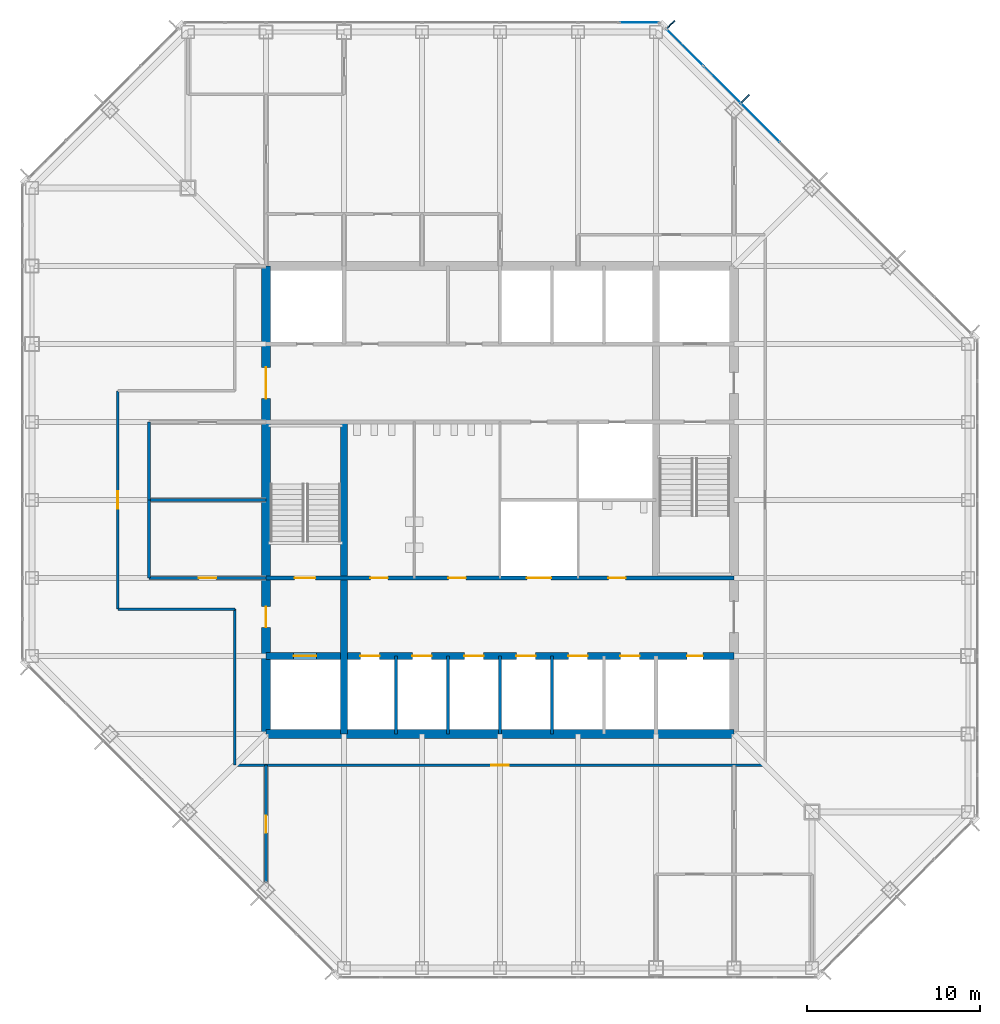
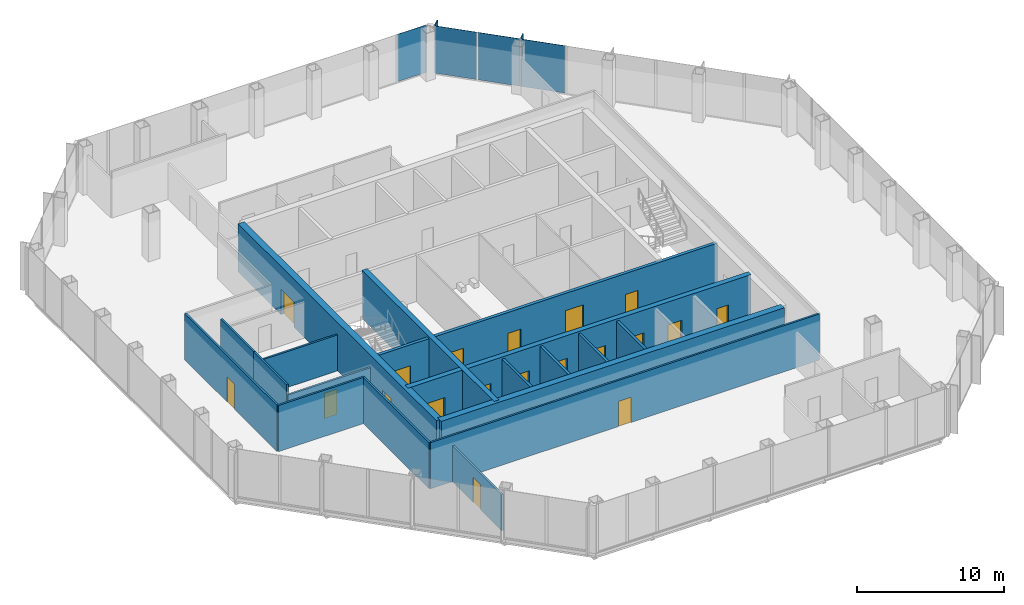
# One storey, part 8 of 12: 19 doors, 18 walls, 6 plates, 19 openings, 2 elements without a shape of their own.
"""IFC4 building model written with IfcOpenShell, lengths in metres."""

from ifc_helpers import new_model, si_unit, direction, frame, frame_2d, origin, origin_2d, place, context, subcontext, project, spatial, rectangle, extrude, material, layer, layer_set, type_object, element, fill, aggregate, save


model = new_model("IFC4")

# Units and contexts
model_context = context("Model", 3, precision=1e-05, world=origin(), true_north=direction((0.0, 1.0)))
body_context = subcontext(model_context, "Body", "Model", "MODEL_VIEW")
ifc_project = project(units=[si_unit("LENGTHUNIT", "METRE"), si_unit("AREAUNIT", "SQUARE_METRE"), si_unit("VOLUMEUNIT", "CUBIC_METRE"), si_unit("PLANEANGLEUNIT", "RADIAN"), si_unit("MASSUNIT", "GRAM", prefix="KILO")], contexts=[model_context])

# Site, building, storey
site_placement = place(None, origin())
site = spatial("IfcSite", under=ifc_project, at=site_placement, CompositionType="ELEMENT")
building_placement = place(site_placement, origin())
building = spatial("IfcBuilding", under=site, at=building_placement, Name="Corais Broadcast Tower", CompositionType="ELEMENT")
storey_placement = place(building_placement, frame((0.0, 0.0, 131.60009765625)))
storey = spatial("IfcBuildingStorey", under=building, at=storey_placement, Name="L29", CompositionType="ELEMENT", Elevation=131.60009765625)

# Curtain wall, plates
ifc_material_1 = material(Name="Aluminium and glass", Category="aluminium")
curtain_wall_type = type_object("IfcCurtainWallType", Name="Unitised fritted curtain wall CW2", PredefinedType="NOTDEFINED", material=ifc_material_1)
curtain_wall_1_placement = place(storey_placement, origin())
curtain_wall_1 = element("IfcCurtainWall", 1, at=curtain_wall_1_placement, inside=storey, type_object=curtain_wall_type, Name="CW2 curtain wall L29 5", PredefinedType="NOTDEFINED")
ifc_material_2 = material(Name="Ceramic-fritted laminated glass", Category="glass")
ifc_layer_1 = layer(ifc_material_2, 0.028076171875)
ifc_layer_set_1 = layer_set([ifc_layer_1], Name="Ceramic-fritted laminated glass")
plate_type_1 = type_object("IfcPlateType", Name="Fritted glass panel CW2", PredefinedType="CURTAIN_PANEL", material=ifc_layer_set_1)
plate_1_placement = place(storey_placement, frame((37.669677734375, 53.108154296875, 0.06494140625), z_axis=(0.0, 0.0, 1.0), x_axis=(0.707106781187, -0.707106781187, 0.0)))
plate_1 = element("IfcPlate", 2, at=plate_1_placement, type_object=plate_type_1, Name="CW2 panel 1", PredefinedType="CURTAIN_PANEL", context=body_context, shape_type="SweptSolid", body=[
    extrude(rectangle(XDim=2.9482421875, YDim=0.028076171875, at=origin_2d()), origin(), (0.0, 0.0, 1.0), 3.93505859375),
])
plate_2_placement = place(storey_placement, frame((42.013916015625, 48.763916015625, 0.06494140625), z_axis=(0.0, 0.0, 1.0), x_axis=(0.707106781187, -0.707106781187, 0.0)))
plate_2 = element("IfcPlate", 3, at=plate_2_placement, type_object=plate_type_1, Name="CW2 panel 3", PredefinedType="CURTAIN_PANEL", context=body_context, shape_type="SweptSolid", body=[
    extrude(rectangle(XDim=3.116943359375, YDim=0.028076171875, at=origin_2d()), origin(), (0.0, 0.0, 1.0), 3.93505859375),
])

# Curtain wall, plate
curtain_wall_2_placement = place(storey_placement, origin())
curtain_wall_2 = element("IfcCurtainWall", 4, at=curtain_wall_2_placement, inside=storey, type_object=curtain_wall_type, Name="CW2 curtain wall L29 4", PredefinedType="NOTDEFINED")
ifc_material_3 = material(Name="Clear laminated glass", Category="glass")
ifc_layer_2 = layer(ifc_material_3, 0.031982421875)
ifc_layer_set_2 = layer_set([ifc_layer_2], Name="Clear laminated glass")
plate_type_2 = type_object("IfcPlateType", Name="Operable glass panel CW2", PredefinedType="CURTAIN_PANEL", material=ifc_layer_set_2)
plate_3_placement = place(storey_placement, frame((35.029541015625, 54.550048828125, 0.06494140625), z_axis=(0.0, 0.0, 1.0), x_axis=(1.0, 0.0, 0.0)))
plate_3 = element("IfcPlate", 5, at=plate_3_placement, type_object=plate_type_2, Name="CW2 operable panel 8", PredefinedType="CURTAIN_PANEL", context=body_context, shape_type="SweptSolid", body=[
    extrude(rectangle(XDim=2.266357421875, YDim=0.031982421875, at=origin_2d()), origin(), (0.0, 0.0, 1.0), 3.93505859375),
])
aggregate(curtain_wall_2, [plate_3])

# Plate
plate_4_placement = place(storey_placement, frame((39.81201171875, 50.9658203125, 0.06494140625), z_axis=(0.0, 0.0, 1.0), x_axis=(0.707106781187, -0.707106781187, 0.0)))
plate_4 = element("IfcPlate", 6, at=plate_4_placement, type_object=plate_type_2, Name="CW2 operable panel 2", PredefinedType="CURTAIN_PANEL", context=body_context, shape_type="SweptSolid", body=[
    extrude(rectangle(XDim=2.98095703125, YDim=0.031982421875, at=origin_2d()), origin(), (0.0, 0.0, 1.0), 3.93505859375),
])

aggregate(curtain_wall_1, [plate_1, plate_4, plate_2])

# Plates
ifc_material_4 = material(Name="Granite stone cladding", Category="masonry")
ifc_layer_3 = layer(ifc_material_4, 0.080078125)
ifc_layer_set_3 = layer_set([ifc_layer_3], Name="Granite stone cladding")
plate_type_3 = type_object("IfcPlateType", Name="Stone screen fin 80x600", PredefinedType="USERDEFINED", material=ifc_layer_set_3)
for number, where, z_axis, x_axis, name in (
    (7, (36.8779296875, 54.447021484375, 0.0), (0.0, 0.0, 1.0), (0.707106781187, -0.707106781187, 0.0), "SF1 stone screen fin L29"),
    (8, (41.16259765625, 50.16259765625, 0.0), (0.0, 0.0, 1.0), (0.707106781187, -0.707106781187, 0.0), "SF1 stone screen fin L29"),
):
    element("IfcPlate", number, at=place(storey_placement, frame(where, z_axis=z_axis, x_axis=x_axis)), inside=storey, type_object=plate_type_3, Name=name, ObjectType="STONE SCREEN FIN", PredefinedType="USERDEFINED", context=body_context, shape_type="SweptSolid", body=[
        extrude(rectangle(XDim=0.080078125, YDim=0.60009765625, at=origin_2d()), origin(), (0.0, 0.0, 1.0), 4.0),
    ])

# Wall, openings, doors
ifc_material_5 = material(Name="Concrete blockwork class A, grouted, two-hour", Category="masonry")
ifc_layer_4 = layer(ifc_material_5, 0.25)
ifc_layer_set_4 = layer_set([ifc_layer_4], Name="Concrete blockwork class A, grouted, two-hour")
wall_type_1 = type_object("IfcWallType", Name="Core lobby wall 250", PredefinedType="SOLIDWALL", material=ifc_layer_set_4)
wall_1_placement = place(storey_placement, frame((13.5, 22.5, 0.0), z_axis=(0.0, 0.0, 1.0), x_axis=(1.0, 0.0, 0.0)))
wall_1 = element("IfcWall", 9, at=wall_1_placement, inside=storey, type_object=wall_type_1, Name="CL2 core lobby wall Y225 L29", PredefinedType="SOLIDWALL", context=body_context, shape_type="SweptSolid", body=[
    extrude(rectangle(XDim=27.0, YDim=0.25, at=frame_2d((13.5, 0.0))), origin(), (0.0, 0.0, 1.0), 3.83984375),
])
opening_1_placement = place(wall_1_placement, frame((1.64990234375, 0.0, 0.0)))
opening_1 = element("IfcOpeningElement", 10, at=opening_1_placement, cuts=wall_1, Name="Opening FD1", PredefinedType="OPENING", context=body_context, shape_type="SweptSolid", body=[
    extrude(rectangle(XDim=1.199951171875, YDim=2.10009765625, at=frame_2d((0.60009765625, 1.050048828125))), frame((0.0, 0.135009765625, 0.0), z_axis=(0.0, -1.0, 0.0), x_axis=(1.0, 0.0, 0.0)), (0.0, 0.0, 1.0), 0.27001953125),
])
opening_2_placement = place(wall_1_placement, frame((6.02490234375, 0.0, 0.0)))
opening_2 = element("IfcOpeningElement", 11, at=opening_2_placement, cuts=wall_1, Name="Opening WD1", PredefinedType="OPENING", context=body_context, shape_type="SweptSolid", body=[
    extrude(rectangle(XDim=1.0, YDim=2.10009765625, at=frame_2d((0.5, 1.050048828125))), frame((0.0, 0.135009765625, 0.0), z_axis=(0.0, -1.0, 0.0), x_axis=(1.0, 0.0, 0.0)), (0.0, 0.0, 1.0), 0.27001953125),
])
opening_3_placement = place(wall_1_placement, frame((10.52490234375, 0.0, 0.0)))
opening_3 = element("IfcOpeningElement", 12, at=opening_3_placement, cuts=wall_1, Name="Opening WD1", PredefinedType="OPENING", context=body_context, shape_type="SweptSolid", body=[
    extrude(rectangle(XDim=1.0, YDim=2.10009765625, at=frame_2d((0.5, 1.050048828125))), frame((0.0, 0.135009765625, 0.0), z_axis=(0.0, -1.0, 0.0), x_axis=(1.0, 0.0, 0.0)), (0.0, 0.0, 1.0), 0.27001953125),
])
opening_4_placement = place(wall_1_placement, frame((19.75, 0.0, 0.0)))
opening_4 = element("IfcOpeningElement", 13, at=opening_4_placement, cuts=wall_1, Name="Opening WD1", PredefinedType="OPENING", context=body_context, shape_type="SweptSolid", body=[
    extrude(rectangle(XDim=1.0, YDim=2.10009765625, at=frame_2d((0.5, 1.050048828125))), frame((0.0, 0.135009765625, 0.0), z_axis=(0.0, -1.0, 0.0), x_axis=(1.0, 0.0, 0.0)), (0.0, 0.0, 1.0), 0.27001953125),
])
opening_5_placement = place(wall_1_placement, frame((15.050048828125, 0.0, 0.0)))
opening_5 = element("IfcOpeningElement", 14, at=opening_5_placement, cuts=wall_1, Name="Opening LD3", PredefinedType="OPENING", context=body_context, shape_type="SweptSolid", body=[
    extrude(rectangle(XDim=1.39990234375, YDim=2.39990234375, at=frame_2d((0.699951171875, 1.199951171875))), frame((0.0, 0.135009765625, 0.0), z_axis=(0.0, -1.0, 0.0), x_axis=(1.0, 0.0, 0.0)), (0.0, 0.0, 1.0), 0.27001953125),
])
ifc_material_6 = material(Name="Steel fire door", Category="steel")
door_type_1 = type_object("IfcDoorType", Name="Fire door 1200x2100", OperationType="SINGLE_SWING_LEFT", PredefinedType="DOOR", material=ifc_material_6)
door_1_placement = place(opening_1_placement, origin())
door_1 = element("IfcDoor", 15, at=door_1_placement, inside=storey, type_object=door_type_1, Name="FD1 stair A door L29", OperationType="SINGLE_SWING_LEFT", OverallHeight=2.10009765625, OverallWidth=1.199951171875, PredefinedType="DOOR", context=body_context, shape_type="SweptSolid", body=[
    extrude(rectangle(XDim=1.199951171875, YDim=2.10009765625, at=frame_2d((0.60009765625, 1.050048828125))), frame((0.0, 0.02490234375, 0.0), z_axis=(0.0, -1.0, 0.0), x_axis=(1.0, 0.0, 0.0)), (0.0, 0.0, 1.0), 0.050048828125),
])
fill(opening_1, door_1)
ifc_material_7 = material(Name="Stainless steel lift door", Category="steel")
door_type_2 = type_object("IfcDoorType", Name="Service lift landing door 1400x2400", OperationType="SLIDING_TO_LEFT", PredefinedType="DOOR", material=ifc_material_7)
door_2_placement = place(opening_5_placement, origin())
door_2 = element("IfcDoor", 16, at=door_2_placement, inside=storey, type_object=door_type_2, Name="LD3 SL1 landing door L29", OperationType="SLIDING_TO_LEFT", OverallHeight=2.39990234375, OverallWidth=1.39990234375, PredefinedType="DOOR", context=body_context, shape_type="SweptSolid", body=[
    extrude(rectangle(XDim=1.39990234375, YDim=2.39990234375, at=frame_2d((0.699951171875, 1.199951171875))), frame((0.0, 0.02490234375, 0.0), z_axis=(0.0, -1.0, 0.0), x_axis=(1.0, 0.0, 0.0)), (0.0, 0.0, 1.0), 0.050048828125),
])
fill(opening_5, door_2)
ifc_material_8 = material(Name="Timber door", Category="wood")
door_type_3 = type_object("IfcDoorType", Name="Toilet door 1000x2100", OperationType="SINGLE_SWING_LEFT", PredefinedType="DOOR", material=ifc_material_8)
door_3_placement = place(opening_2_placement, origin())
door_3 = element("IfcDoor", 17, at=door_3_placement, inside=storey, type_object=door_type_3, Name="WD1 WC male door L29", OperationType="SINGLE_SWING_LEFT", OverallHeight=2.10009765625, OverallWidth=1.0, PredefinedType="DOOR", context=body_context, shape_type="SweptSolid", body=[
    extrude(rectangle(XDim=1.0, YDim=2.10009765625, at=frame_2d((0.5, 1.050048828125))), frame((0.0, 0.02490234375, 0.0), z_axis=(0.0, -1.0, 0.0), x_axis=(1.0, 0.0, 0.0)), (0.0, 0.0, 1.0), 0.050048828125),
])
fill(opening_2, door_3)
door_4_placement = place(opening_3_placement, origin())
door_4 = element("IfcDoor", 18, at=door_4_placement, inside=storey, type_object=door_type_3, Name="WD1 WC female door L29", OperationType="SINGLE_SWING_LEFT", OverallHeight=2.10009765625, OverallWidth=1.0, PredefinedType="DOOR", context=body_context, shape_type="SweptSolid", body=[
    extrude(rectangle(XDim=1.0, YDim=2.10009765625, at=frame_2d((0.5, 1.050048828125))), frame((0.0, 0.02490234375, 0.0), z_axis=(0.0, -1.0, 0.0), x_axis=(1.0, 0.0, 0.0)), (0.0, 0.0, 1.0), 0.050048828125),
])
fill(opening_3, door_4)
door_5_placement = place(opening_4_placement, origin())
door_5 = element("IfcDoor", 19, at=door_5_placement, inside=storey, type_object=door_type_3, Name="WD1 accessible WC door L29", OperationType="SINGLE_SWING_RIGHT", OverallHeight=2.10009765625, OverallWidth=1.0, PredefinedType="DOOR", context=body_context, shape_type="SweptSolid", body=[
    extrude(rectangle(XDim=1.0, YDim=2.10009765625, at=frame_2d((0.5, 1.050048828125))), frame((0.0, 0.02490234375, 0.0), z_axis=(0.0, -1.0, 0.0), x_axis=(1.0, 0.0, 0.0)), (0.0, 0.0, 1.0), 0.050048828125),
])
fill(opening_4, door_5)

# Wall
ifc_material_9 = material(Name="Concrete C50/60", Category="concrete")
ifc_layer_5 = layer(ifc_material_9, 0.39990234375)
ifc_layer_set_5 = layer_set([ifc_layer_5], Name="Concrete C50/60")
wall_type_2 = type_object("IfcWallType", Name="Core wall 400", PredefinedType="SHEAR", material=ifc_layer_set_5)
wall_2_placement = place(storey_placement, frame((18.0, 13.5, 0.0), z_axis=(0.0, 0.0, 1.0), x_axis=(0.0, 1.0, 0.0)))
element("IfcWall", 20, at=wall_2_placement, inside=storey, type_object=wall_type_2, Name="CR400 core wall X18A L29", PredefinedType="SHEAR", context=body_context, shape_type="SweptSolid", body=[
    extrude(rectangle(XDim=18.0, YDim=0.39990234375, at=frame_2d((9.0, 0.0))), origin(), (0.0, 0.0, 1.0), 4.0),
])

# Wall, openings, doors
wall_3_placement = place(storey_placement, frame((13.5, 18.0, 0.0), z_axis=(0.0, 0.0, 1.0), x_axis=(1.0, 0.0, 0.0)))
wall_3 = element("IfcWall", 21, at=wall_3_placement, inside=storey, type_object=wall_type_2, Name="CR400 core wall Y18 L29", PredefinedType="SHEAR", context=body_context, shape_type="SweptSolid", body=[
    extrude(rectangle(XDim=27.0, YDim=0.39990234375, at=frame_2d((13.5, 0.0))), origin(), (0.0, 0.0, 1.0), 4.0),
])
opening_6_placement = place(wall_3_placement, frame((24.300048828125, 0.0, 0.0)))
opening_6 = element("IfcOpeningElement", 22, at=opening_6_placement, cuts=wall_3, Name="Opening RD1", PredefinedType="OPENING", context=body_context, shape_type="SweptSolid", body=[
    extrude(rectangle(XDim=0.89990234375, YDim=2.10009765625, at=frame_2d((0.449951171875, 1.050048828125))), frame((0.0, 0.2099609375, 0.0), z_axis=(0.0, -1.0, 0.0), x_axis=(1.0, 0.0, 0.0)), (0.0, 0.0, 1.0), 0.419921875),
])
opening_7_placement = place(wall_3_placement, frame((5.449951171875, 0.0, 0.0)))
opening_7 = element("IfcOpeningElement", 23, at=opening_7_placement, cuts=wall_3, Name="Opening LD1", PredefinedType="OPENING", context=body_context, shape_type="SweptSolid", body=[
    extrude(rectangle(XDim=1.10009765625, YDim=2.10009765625, at=frame_2d((0.550048828125, 1.050048828125))), frame((0.0, 0.2099609375, 0.0), z_axis=(0.0, -1.0, 0.0), x_axis=(1.0, 0.0, 0.0)), (0.0, 0.0, 1.0), 0.419921875),
])
opening_8_placement = place(wall_3_placement, frame((8.449951171875, 0.0, 0.0)))
opening_8 = element("IfcOpeningElement", 24, at=opening_8_placement, cuts=wall_3, Name="Opening LD1", PredefinedType="OPENING", context=body_context, shape_type="SweptSolid", body=[
    extrude(rectangle(XDim=1.10009765625, YDim=2.10009765625, at=frame_2d((0.550048828125, 1.050048828125))), frame((0.0, 0.2099609375, 0.0), z_axis=(0.0, -1.0, 0.0), x_axis=(1.0, 0.0, 0.0)), (0.0, 0.0, 1.0), 0.419921875),
])
opening_9_placement = place(wall_3_placement, frame((11.449951171875, 0.0, 0.0)))
opening_9 = element("IfcOpeningElement", 25, at=opening_9_placement, cuts=wall_3, Name="Opening LD1", PredefinedType="OPENING", context=body_context, shape_type="SweptSolid", body=[
    extrude(rectangle(XDim=1.10009765625, YDim=2.10009765625, at=frame_2d((0.550048828125, 1.050048828125))), frame((0.0, 0.2099609375, 0.0), z_axis=(0.0, -1.0, 0.0), x_axis=(1.0, 0.0, 0.0)), (0.0, 0.0, 1.0), 0.419921875),
])
opening_10_placement = place(wall_3_placement, frame((14.449951171875, 0.0, 0.0)))
opening_10 = element("IfcOpeningElement", 26, at=opening_10_placement, cuts=wall_3, Name="Opening LD1", PredefinedType="OPENING", context=body_context, shape_type="SweptSolid", body=[
    extrude(rectangle(XDim=1.10009765625, YDim=2.10009765625, at=frame_2d((0.550048828125, 1.050048828125))), frame((0.0, 0.2099609375, 0.0), z_axis=(0.0, -1.0, 0.0), x_axis=(1.0, 0.0, 0.0)), (0.0, 0.0, 1.0), 0.419921875),
])
opening_11_placement = place(wall_3_placement, frame((17.449951171875, 0.0, 0.0)))
opening_11 = element("IfcOpeningElement", 27, at=opening_11_placement, cuts=wall_3, Name="Opening LD1", PredefinedType="OPENING", context=body_context, shape_type="SweptSolid", body=[
    extrude(rectangle(XDim=1.10009765625, YDim=2.10009765625, at=frame_2d((0.550048828125, 1.050048828125))), frame((0.0, 0.2099609375, 0.0), z_axis=(0.0, -1.0, 0.0), x_axis=(1.0, 0.0, 0.0)), (0.0, 0.0, 1.0), 0.419921875),
])
opening_12_placement = place(wall_3_placement, frame((20.449951171875, 0.0, 0.0)))
opening_12 = element("IfcOpeningElement", 28, at=opening_12_placement, cuts=wall_3, Name="Opening LD1", PredefinedType="OPENING", context=body_context, shape_type="SweptSolid", body=[
    extrude(rectangle(XDim=1.10009765625, YDim=2.10009765625, at=frame_2d((0.550048828125, 1.050048828125))), frame((0.0, 0.2099609375, 0.0), z_axis=(0.0, -1.0, 0.0), x_axis=(1.0, 0.0, 0.0)), (0.0, 0.0, 1.0), 0.419921875),
])
opening_13_placement = place(wall_3_placement, frame((1.60009765625, 0.0, 0.0)))
opening_13 = element("IfcOpeningElement", 29, at=opening_13_placement, cuts=wall_3, Name="Opening LD2", PredefinedType="OPENING", context=body_context, shape_type="SweptSolid", body=[
    extrude(rectangle(XDim=1.300048828125, YDim=2.199951171875, at=frame_2d((0.64990234375, 1.10009765625))), frame((0.0, 0.2099609375, 0.0), z_axis=(0.0, -1.0, 0.0), x_axis=(1.0, 0.0, 0.0)), (0.0, 0.0, 1.0), 0.419921875),
])
ifc_material_10 = material(Name="Stainless steel lift door", Category="steel")
door_type_4 = type_object("IfcDoorType", Name="Lift landing door 1100x2100", OperationType="SLIDING_TO_LEFT", PredefinedType="DOOR", material=ifc_material_10)
door_6_placement = place(opening_7_placement, origin())
door_6 = element("IfcDoor", 30, at=door_6_placement, inside=storey, type_object=door_type_4, Name="LD1 PM1 landing door L29", OperationType="SLIDING_TO_LEFT", OverallHeight=2.10009765625, OverallWidth=1.10009765625, PredefinedType="DOOR", context=body_context, shape_type="SweptSolid", body=[
    extrude(rectangle(XDim=1.10009765625, YDim=2.10009765625, at=frame_2d((0.550048828125, 1.050048828125))), frame((0.0, 0.02490234375, 0.0), z_axis=(0.0, -1.0, 0.0), x_axis=(1.0, 0.0, 0.0)), (0.0, 0.0, 1.0), 0.050048828125),
])
fill(opening_7, door_6)
door_7_placement = place(opening_8_placement, origin())
door_7 = element("IfcDoor", 31, at=door_7_placement, inside=storey, type_object=door_type_4, Name="LD1 PM2 landing door L29", OperationType="SLIDING_TO_LEFT", OverallHeight=2.10009765625, OverallWidth=1.10009765625, PredefinedType="DOOR", context=body_context, shape_type="SweptSolid", body=[
    extrude(rectangle(XDim=1.10009765625, YDim=2.10009765625, at=frame_2d((0.550048828125, 1.050048828125))), frame((0.0, 0.02490234375, 0.0), z_axis=(0.0, -1.0, 0.0), x_axis=(1.0, 0.0, 0.0)), (0.0, 0.0, 1.0), 0.050048828125),
])
fill(opening_8, door_7)
door_8_placement = place(opening_9_placement, origin())
door_8 = element("IfcDoor", 32, at=door_8_placement, inside=storey, type_object=door_type_4, Name="LD1 PM3 landing door L29", OperationType="SLIDING_TO_LEFT", OverallHeight=2.10009765625, OverallWidth=1.10009765625, PredefinedType="DOOR", context=body_context, shape_type="SweptSolid", body=[
    extrude(rectangle(XDim=1.10009765625, YDim=2.10009765625, at=frame_2d((0.550048828125, 1.050048828125))), frame((0.0, 0.02490234375, 0.0), z_axis=(0.0, -1.0, 0.0), x_axis=(1.0, 0.0, 0.0)), (0.0, 0.0, 1.0), 0.050048828125),
])
fill(opening_9, door_8)
door_9_placement = place(opening_10_placement, origin())
door_9 = element("IfcDoor", 33, at=door_9_placement, inside=storey, type_object=door_type_4, Name="LD1 PM4 landing door L29", OperationType="SLIDING_TO_LEFT", OverallHeight=2.10009765625, OverallWidth=1.10009765625, PredefinedType="DOOR", context=body_context, shape_type="SweptSolid", body=[
    extrude(rectangle(XDim=1.10009765625, YDim=2.10009765625, at=frame_2d((0.550048828125, 1.050048828125))), frame((0.0, 0.02490234375, 0.0), z_axis=(0.0, -1.0, 0.0), x_axis=(1.0, 0.0, 0.0)), (0.0, 0.0, 1.0), 0.050048828125),
])
fill(opening_10, door_9)
door_10_placement = place(opening_11_placement, origin())
door_10 = element("IfcDoor", 34, at=door_10_placement, inside=storey, type_object=door_type_4, Name="LD1 PM5 landing door L29", OperationType="SLIDING_TO_LEFT", OverallHeight=2.10009765625, OverallWidth=1.10009765625, PredefinedType="DOOR", context=body_context, shape_type="SweptSolid", body=[
    extrude(rectangle(XDim=1.10009765625, YDim=2.10009765625, at=frame_2d((0.550048828125, 1.050048828125))), frame((0.0, 0.02490234375, 0.0), z_axis=(0.0, -1.0, 0.0), x_axis=(1.0, 0.0, 0.0)), (0.0, 0.0, 1.0), 0.050048828125),
])
fill(opening_11, door_10)
door_11_placement = place(opening_12_placement, origin())
door_11 = element("IfcDoor", 35, at=door_11_placement, inside=storey, type_object=door_type_4, Name="LD1 PM6 landing door L29", OperationType="SLIDING_TO_LEFT", OverallHeight=2.10009765625, OverallWidth=1.10009765625, PredefinedType="DOOR", context=body_context, shape_type="SweptSolid", body=[
    extrude(rectangle(XDim=1.10009765625, YDim=2.10009765625, at=frame_2d((0.550048828125, 1.050048828125))), frame((0.0, 0.02490234375, 0.0), z_axis=(0.0, -1.0, 0.0), x_axis=(1.0, 0.0, 0.0)), (0.0, 0.0, 1.0), 0.050048828125),
])
fill(opening_12, door_11)
ifc_material_11 = material(Name="Stainless steel lift door", Category="steel")
door_type_5 = type_object("IfcDoorType", Name="Lift landing door 1300x2200", OperationType="SLIDING_TO_LEFT", PredefinedType="DOOR", material=ifc_material_11)
door_12_placement = place(opening_13_placement, origin())
door_12 = element("IfcDoor", 36, at=door_12_placement, inside=storey, type_object=door_type_5, Name="LD2 FL1 landing door L29", OperationType="SLIDING_TO_LEFT", OverallHeight=2.199951171875, OverallWidth=1.300048828125, PredefinedType="DOOR", context=body_context, shape_type="SweptSolid", body=[
    extrude(rectangle(XDim=1.300048828125, YDim=2.199951171875, at=frame_2d((0.64990234375, 1.10009765625))), frame((0.0, 0.02490234375, 0.0), z_axis=(0.0, -1.0, 0.0), x_axis=(1.0, 0.0, 0.0)), (0.0, 0.0, 1.0), 0.050048828125),
])
fill(opening_13, door_12)
ifc_material_12 = material(Name="Steel fire door", Category="steel")
door_type_6 = type_object("IfcDoorType", Name="Riser door 900x2100", OperationType="SINGLE_SWING_LEFT", PredefinedType="DOOR", material=ifc_material_12)
door_13_placement = place(opening_6_placement, origin())
door_13 = element("IfcDoor", 37, at=door_13_placement, inside=storey, type_object=door_type_6, Name="RD1 riser door L29", OperationType="SINGLE_SWING_RIGHT", OverallHeight=2.10009765625, OverallWidth=0.89990234375, PredefinedType="DOOR", context=body_context, shape_type="SweptSolid", body=[
    extrude(rectangle(XDim=0.89990234375, YDim=2.10009765625, at=frame_2d((0.449951171875, 1.050048828125))), frame((0.0, 0.02490234375, 0.0), z_axis=(0.0, -1.0, 0.0), x_axis=(1.0, 0.0, 0.0)), (0.0, 0.0, 1.0), 0.050048828125),
])
fill(opening_6, door_13)

# Wall
ifc_material_13 = material(Name="Concrete C50/60", Category="concrete")
ifc_layer_6 = layer(ifc_material_13, 0.5)
ifc_layer_set_6 = layer_set([ifc_layer_6], Name="Concrete C50/60")
wall_type_3 = type_object("IfcWallType", Name="Core wall 500", PredefinedType="SHEAR", material=ifc_layer_set_6)
wall_4_placement = place(storey_placement, frame((13.5, 13.5, 0.0), z_axis=(0.0, 0.0, 1.0), x_axis=(1.0, 0.0, 0.0)))
element("IfcWall", 38, at=wall_4_placement, inside=storey, type_object=wall_type_3, Name="CR500 core wall S L29", PredefinedType="SHEAR", context=body_context, shape_type="SweptSolid", body=[
    extrude(rectangle(XDim=27.0, YDim=0.5, at=frame_2d((13.5, 0.0))), origin(), (0.0, 0.0, 1.0), 4.0),
])

# Wall, openings, doors
wall_5_placement = place(storey_placement, frame((13.5, 40.5, 0.0), z_axis=(0.0, 0.0, 1.0), x_axis=(0.0, -1.0, 0.0)))
wall_5 = element("IfcWall", 39, at=wall_5_placement, inside=storey, type_object=wall_type_3, Name="CR500 core wall W L29", PredefinedType="SHEAR", context=body_context, shape_type="SweptSolid", body=[
    extrude(rectangle(XDim=27.0, YDim=0.5, at=frame_2d((13.5, 0.0))), origin(), (0.0, 0.0, 1.0), 4.0),
])
opening_14_placement = place(wall_5_placement, frame((19.64990234375, 0.0, 0.0)))
opening_14 = element("IfcOpeningElement", 40, at=opening_14_placement, cuts=wall_5, Name="Opening FD1", PredefinedType="OPENING", context=body_context, shape_type="SweptSolid", body=[
    extrude(rectangle(XDim=1.199951171875, YDim=2.10009765625, at=frame_2d((0.60009765625, 1.050048828125))), frame((0.0, 0.260009765625, 0.0), z_axis=(0.0, -1.0, 0.0), x_axis=(1.0, 0.0, 0.0)), (0.0, 0.0, 1.0), 0.52001953125),
])
opening_15_placement = place(wall_5_placement, frame((5.85009765625, 0.0, 0.0)))
opening_15 = element("IfcOpeningElement", 41, at=opening_15_placement, cuts=wall_5, Name="Opening FD2", PredefinedType="OPENING", context=body_context, shape_type="SweptSolid", body=[
    extrude(rectangle(XDim=1.800048828125, YDim=2.10009765625, at=frame_2d((0.89990234375, 1.050048828125))), frame((0.0, 0.260009765625, 0.0), z_axis=(0.0, -1.0, 0.0), x_axis=(1.0, 0.0, 0.0)), (0.0, 0.0, 1.0), 0.52001953125),
])
door_14_placement = place(opening_14_placement, origin())
door_14 = element("IfcDoor", 42, at=door_14_placement, inside=storey, type_object=door_type_1, Name="FD1 fire lobby A door L29", OperationType="SINGLE_SWING_RIGHT", OverallHeight=2.10009765625, OverallWidth=1.199951171875, PredefinedType="DOOR", context=body_context, shape_type="SweptSolid", body=[
    extrude(rectangle(XDim=1.199951171875, YDim=2.10009765625, at=frame_2d((0.60009765625, 1.050048828125))), frame((0.0, 0.02490234375, 0.0), z_axis=(0.0, -1.0, 0.0), x_axis=(1.0, 0.0, 0.0)), (0.0, 0.0, 1.0), 0.050048828125),
])
fill(opening_14, door_14)
ifc_material_14 = material(Name="Steel fire door", Category="steel")
door_type_7 = type_object("IfcDoorType", Name="Fire door pair 1800x2100", OperationType="DOUBLE_DOOR_SINGLE_SWING", PredefinedType="DOOR", material=ifc_material_14)
door_15_placement = place(opening_15_placement, origin())
door_15 = element("IfcDoor", 43, at=door_15_placement, inside=storey, type_object=door_type_7, Name="FD2 lift lobby door L29", OperationType="SINGLE_SWING_LEFT", OverallHeight=2.10009765625, OverallWidth=1.800048828125, PredefinedType="DOOR", context=body_context, shape_type="SweptSolid", body=[
    extrude(rectangle(XDim=1.800048828125, YDim=2.10009765625, at=frame_2d((0.89990234375, 1.050048828125))), frame((0.0, 0.02490234375, 0.0), z_axis=(0.0, -1.0, 0.0), x_axis=(1.0, 0.0, 0.0)), (0.0, 0.0, 1.0), 0.050048828125),
])
fill(opening_15, door_15)

# Wall, opening, door
ifc_material_15 = material(Name="Gypsum board on steel studs", Category="steel")
ifc_layer_7 = layer(ifc_material_15, 0.14990234375)
ifc_layer_set_7 = layer_set([ifc_layer_7], Name="Gypsum board on steel studs")
wall_type_4 = type_object("IfcWallType", Name="Partition 150", PredefinedType="PARTITIONING", material=ifc_layer_set_7)
wall_6_placement = place(storey_placement, frame((11.699951171875, 11.699951171875, 0.0), z_axis=(0.0, 0.0, 1.0), x_axis=(1.0, 0.0, 0.0)))
wall_6 = element("IfcWall", 44, at=wall_6_placement, inside=storey, type_object=wall_type_4, Name="IW3 corridor wall L29", PredefinedType="PARTITIONING", context=body_context, shape_type="SweptSolid", body=[
    extrude(rectangle(XDim=30.60009765625, YDim=0.14990234375, at=frame_2d((15.300048828125, 0.0))), origin(), (0.0, 0.0, 1.0), 3.83984375),
])
opening_16_placement = place(wall_6_placement, frame((14.800048828125, 0.0, 0.0)))
opening_16 = element("IfcOpeningElement", 45, at=opening_16_placement, cuts=wall_6, Name="Opening D1", PredefinedType="OPENING", context=body_context, shape_type="SweptSolid", body=[
    extrude(rectangle(XDim=1.0, YDim=2.10009765625, at=frame_2d((0.5, 1.050048828125))), frame((0.0, 0.0849609375, 0.0), z_axis=(0.0, -1.0, 0.0), x_axis=(1.0, 0.0, 0.0)), (0.0, 0.0, 1.0), 0.169921875),
])
ifc_material_16 = material(Name="Timber door", Category="wood")
door_type_8 = type_object("IfcDoorType", Name="Single door 1000x2100", OperationType="SINGLE_SWING_LEFT", PredefinedType="DOOR", material=ifc_material_16)
door_16_placement = place(opening_16_placement, origin())
door_16 = element("IfcDoor", 46, at=door_16_placement, inside=storey, type_object=door_type_8, Name="D1 workplace door L29", OperationType="SINGLE_SWING_LEFT", OverallHeight=2.10009765625, OverallWidth=1.0, PredefinedType="DOOR", context=body_context, shape_type="SweptSolid", body=[
    extrude(rectangle(XDim=1.0, YDim=2.10009765625, at=frame_2d((0.5, 1.050048828125))), frame((0.0, 0.02490234375, 0.0), z_axis=(0.0, -1.0, 0.0), x_axis=(1.0, 0.0, 0.0)), (0.0, 0.0, 1.0), 0.050048828125),
])
fill(opening_16, door_16)

wall_7_placement = place(storey_placement, frame((4.949951171875, 33.300048828125, 0.0), z_axis=(0.0, 0.0, 1.0), x_axis=(0.0, -1.0, 0.0)))
wall_7 = element("IfcWall", 47, at=wall_7_placement, inside=storey, type_object=wall_type_4, Name="IW3 corridor wall L29", PredefinedType="PARTITIONING", context=body_context, shape_type="SweptSolid", body=[
    extrude(rectangle(XDim=12.60009765625, YDim=0.14990234375, at=frame_2d((6.300048828125, 0.0))), origin(), (0.0, 0.0, 1.0), 3.83984375),
])
opening_17_placement = place(wall_7_placement, frame((5.800048828125, 0.0, 0.0)))
opening_17 = element("IfcOpeningElement", 48, at=opening_17_placement, cuts=wall_7, Name="Opening D1", PredefinedType="OPENING", context=body_context, shape_type="SweptSolid", body=[
    extrude(rectangle(XDim=1.0, YDim=2.10009765625, at=frame_2d((0.5, 1.050048828125))), frame((0.0, 0.0849609375, 0.0), z_axis=(0.0, -1.0, 0.0), x_axis=(1.0, 0.0, 0.0)), (0.0, 0.0, 1.0), 0.169921875),
])
door_17_placement = place(opening_17_placement, origin())
door_17 = element("IfcDoor", 49, at=door_17_placement, inside=storey, type_object=door_type_8, Name="D1 workplace door L29", OperationType="SINGLE_SWING_LEFT", OverallHeight=2.10009765625, OverallWidth=1.0, PredefinedType="DOOR", context=body_context, shape_type="SweptSolid", body=[
    extrude(rectangle(XDim=1.0, YDim=2.10009765625, at=frame_2d((0.5, 1.050048828125))), frame((0.0, 0.02490234375, 0.0), z_axis=(0.0, -1.0, 0.0), x_axis=(1.0, 0.0, 0.0)), (0.0, 0.0, 1.0), 0.050048828125),
])
fill(opening_17, door_17)

# Walls
wall_8_placement = place(storey_placement, frame((11.699951171875, 20.699951171875, 0.0), z_axis=(0.0, 0.0, 1.0), x_axis=(0.0, -1.0, 0.0)))
element("IfcWall", 50, at=wall_8_placement, inside=storey, type_object=wall_type_4, Name="IW3 corridor wall L29", PredefinedType="PARTITIONING", context=body_context, shape_type="SweptSolid", body=[
    extrude(rectangle(XDim=9.0, YDim=0.14990234375, at=frame_2d((4.5, 0.0))), origin(), (0.0, 0.0, 1.0), 3.83984375),
])
wall_9_placement = place(storey_placement, frame((4.949951171875, 20.699951171875, 0.0), z_axis=(0.0, 0.0, 1.0), x_axis=(1.0, 0.0, 0.0)))
element("IfcWall", 51, at=wall_9_placement, inside=storey, type_object=wall_type_4, Name="IW3 corridor wall L29", PredefinedType="PARTITIONING", context=body_context, shape_type="SweptSolid", body=[
    extrude(rectangle(XDim=6.75, YDim=0.14990234375, at=frame_2d((3.375, 0.0))), origin(), (0.0, 0.0, 1.0), 3.83984375),
])

# Wall, opening, door
wall_10_placement = place(storey_placement, frame((6.75, 22.5, 0.0), z_axis=(0.0, 0.0, 1.0), x_axis=(1.0, 0.0, 0.0)))
wall_10 = element("IfcWall", 52, at=wall_10_placement, inside=storey, type_object=wall_type_4, Name="IW3 partition L29", PredefinedType="PARTITIONING", context=body_context, shape_type="SweptSolid", body=[
    extrude(rectangle(XDim=6.75, YDim=0.14990234375, at=frame_2d((3.375, 0.0))), origin(), (0.0, 0.0, 1.0), 2.989013671875),
])
opening_18_placement = place(wall_10_placement, frame((2.875, 0.0, 0.0)))
opening_18 = element("IfcOpeningElement", 53, at=opening_18_placement, cuts=wall_10, Name="Opening D1", PredefinedType="OPENING", context=body_context, shape_type="SweptSolid", body=[
    extrude(rectangle(XDim=1.0, YDim=2.10009765625, at=frame_2d((0.5, 1.050048828125))), frame((0.0, 0.0849609375, 0.0), z_axis=(0.0, -1.0, 0.0), x_axis=(1.0, 0.0, 0.0)), (0.0, 0.0, 1.0), 0.169921875),
])
door_18_placement = place(opening_18_placement, origin())
door_18 = element("IfcDoor", 54, at=door_18_placement, inside=storey, type_object=door_type_8, Name="D1 Meeting room door", OperationType="SINGLE_SWING_LEFT", OverallHeight=2.10009765625, OverallWidth=1.0, PredefinedType="DOOR", context=body_context, shape_type="SweptSolid", body=[
    extrude(rectangle(XDim=1.0, YDim=2.10009765625, at=frame_2d((0.5, 1.050048828125))), frame((0.0, 0.02490234375, 0.0), z_axis=(0.0, -1.0, 0.0), x_axis=(1.0, 0.0, 0.0)), (0.0, 0.0, 1.0), 0.050048828125),
])
fill(opening_18, door_18)

# Walls
wall_11_placement = place(storey_placement, frame((13.5, 27.0, 0.0), z_axis=(0.0, 0.0, 1.0), x_axis=(-1.0, 0.0, 0.0)))
element("IfcWall", 55, at=wall_11_placement, inside=storey, type_object=wall_type_4, Name="IW3 partition L29", PredefinedType="PARTITIONING", context=body_context, shape_type="SweptSolid", body=[
    extrude(rectangle(XDim=6.75, YDim=0.14990234375, at=frame_2d((3.375, 0.0))), origin(), (0.0, 0.0, 1.0), 2.989013671875),
])
for number, where, z_axis, x_axis, name in (
    (56, (6.75, 27.0, 0.0), (0.0, 0.0, 1.0), (0.0, -1.0, 0.0), "IW3 partition L29"),
    (57, (6.75, 31.5, 0.0), (0.0, 0.0, 1.0), (0.0, -1.0, 0.0), "IW3 partition L29"),
):
    element("IfcWall", number, at=place(storey_placement, frame(where, z_axis=z_axis, x_axis=x_axis)), inside=storey, type_object=wall_type_4, Name=name, PredefinedType="PARTITIONING", context=body_context, shape_type="SweptSolid", body=[
        extrude(rectangle(XDim=4.5, YDim=0.14990234375, at=frame_2d((2.25, 0.0))), origin(), (0.0, 0.0, 1.0), 3.83984375),
    ])

# Wall, opening, door
wall_12_placement = place(storey_placement, frame((13.5, 4.89501953125, 0.0), z_axis=(0.0, 0.0, 1.0), x_axis=(0.0, 1.0, 0.0)))
wall_12 = element("IfcWall", 58, at=wall_12_placement, inside=storey, type_object=wall_type_4, Name="IW3 partition L29", PredefinedType="PARTITIONING", context=body_context, shape_type="SweptSolid", body=[
    extrude(rectangle(XDim=6.804931640625, YDim=0.14990234375, at=frame_2d((3.40234375, 0.0))), origin(), (0.0, 0.0, 1.0), 2.989013671875),
])
opening_19_placement = place(wall_12_placement, frame((2.902587890625, 0.0, 0.0)))
opening_19 = element("IfcOpeningElement", 59, at=opening_19_placement, cuts=wall_12, Name="Opening D1", PredefinedType="OPENING", context=body_context, shape_type="SweptSolid", body=[
    extrude(rectangle(XDim=1.0, YDim=2.10009765625, at=frame_2d((0.5, 1.050048828125))), frame((0.0, 0.0849609375, 0.0), z_axis=(0.0, -1.0, 0.0), x_axis=(1.0, 0.0, 0.0)), (0.0, 0.0, 1.0), 0.169921875),
])
door_19_placement = place(opening_19_placement, origin())
door_19 = element("IfcDoor", 60, at=door_19_placement, inside=storey, type_object=door_type_8, Name="D1 team room door L29", OperationType="SINGLE_SWING_LEFT", OverallHeight=2.10009765625, OverallWidth=1.0, PredefinedType="DOOR", context=body_context, shape_type="SweptSolid", body=[
    extrude(rectangle(XDim=1.0, YDim=2.10009765625, at=frame_2d((0.5, 1.050048828125))), frame((0.0, 0.02490234375, 0.0), z_axis=(0.0, -1.0, 0.0), x_axis=(1.0, 0.0, 0.0)), (0.0, 0.0, 1.0), 0.050048828125),
])
fill(opening_19, door_19)

# Walls
ifc_material_17 = material(Name="Concrete blockwork class A, grouted, two-hour", Category="masonry")
ifc_layer_8 = layer(ifc_material_17, 0.199951171875)
ifc_layer_set_8 = layer_set([ifc_layer_8], Name="Concrete blockwork class A, grouted, two-hour")
wall_type_5 = type_object("IfcWallType", Name="Shaft wall 200", PredefinedType="PARTITIONING", material=ifc_layer_set_8)
for number, where, z_axis, x_axis, name in (
    (61, (21.0, 13.5, 0.0), (0.0, 0.0, 1.0), (0.0, 1.0, 0.0), "IW1 shaft wall L29"),
    (62, (24.0, 13.5, 0.0), (0.0, 0.0, 1.0), (0.0, 1.0, 0.0), "IW1 shaft wall L29"),
    (63, (27.0, 13.5, 0.0), (0.0, 0.0, 1.0), (0.0, 1.0, 0.0), "IW1 shaft wall L29"),
    (64, (30.0, 13.5, 0.0), (0.0, 0.0, 1.0), (0.0, 1.0, 0.0), "IW1 shaft wall L29"),
):
    element("IfcWall", number, at=place(storey_placement, frame(where, z_axis=z_axis, x_axis=x_axis)), inside=storey, type_object=wall_type_5, Name=name, PredefinedType="PARTITIONING", context=body_context, shape_type="SweptSolid", body=[
        extrude(rectangle(XDim=4.5, YDim=0.199951171875, at=frame_2d((2.25, 0.0))), origin(), (0.0, 0.0, 1.0), 3.83984375),
    ])

save(model, "model.ifc")
